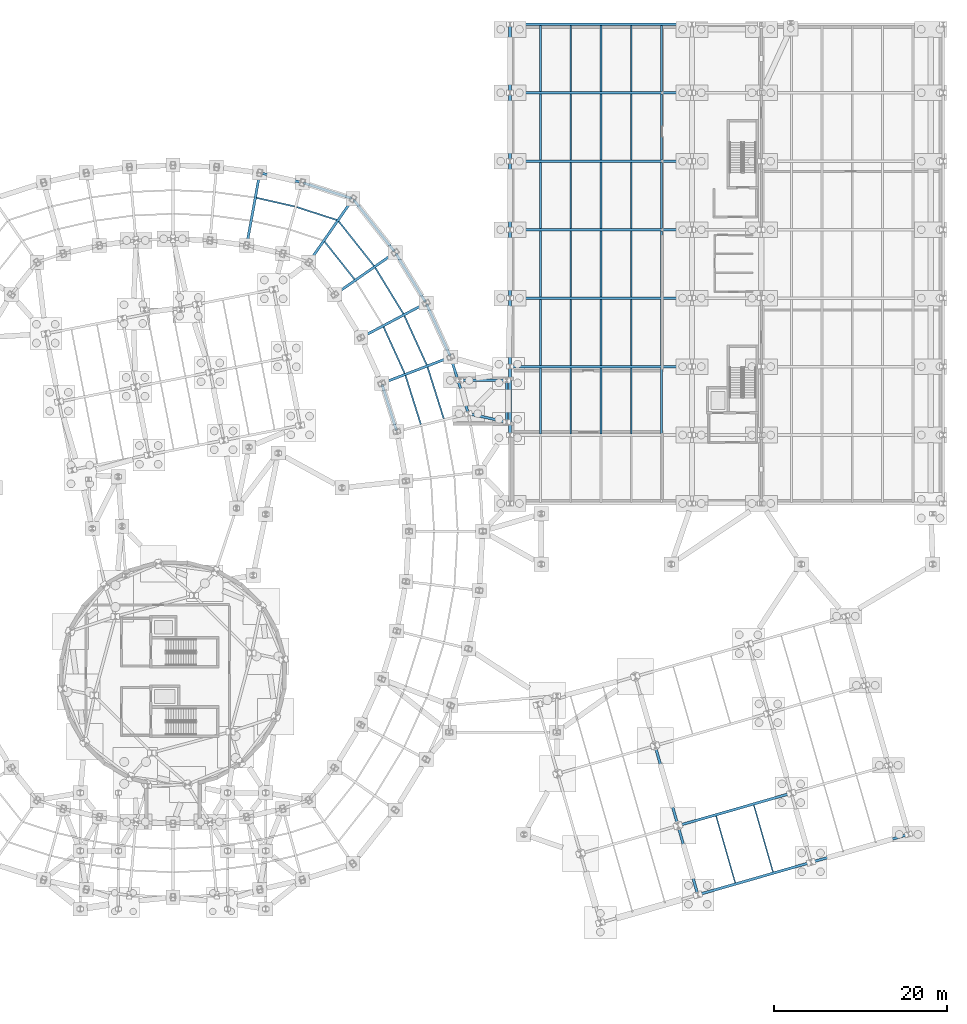
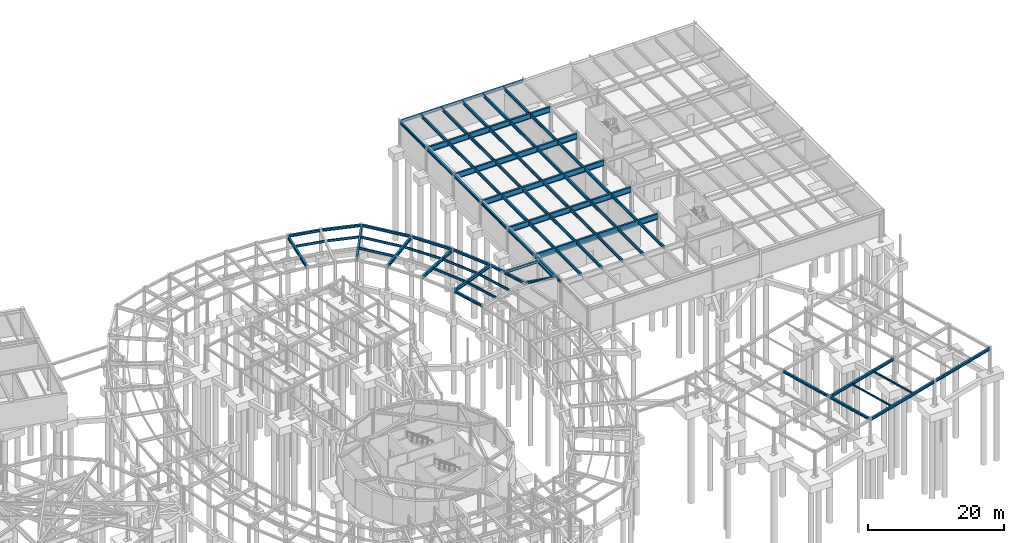
# One storey, part 35 of 50: 73 beams.
"""IFC4 building model written with IfcOpenShell, lengths in metres."""

from ifc_helpers import new_model, si_unit, direction, frame, origin, origin_2d, place, context, subcontext, project, spatial, i_section, extrude, material, material_profile, profile_set, type_object, element, save


model = new_model("IFC4")

# Units and contexts
model_context = context("Model", 3, precision=1e-05, world=origin(), true_north=direction((0.0, 1.0)))
body_context = subcontext(model_context, "Body", "Model", "MODEL_VIEW")
ifc_project = project(units=[si_unit("LENGTHUNIT", "METRE"), si_unit("AREAUNIT", "SQUARE_METRE"), si_unit("VOLUMEUNIT", "CUBIC_METRE"), si_unit("PLANEANGLEUNIT", "RADIAN"), si_unit("MASSUNIT", "GRAM", prefix="KILO")], contexts=[model_context])

# Site, building, storey
site_placement = place(None, origin())
site = spatial("IfcSite", under=ifc_project, at=site_placement, CompositionType="ELEMENT")
building_placement = place(site_placement, origin())
building = spatial("IfcBuilding", under=site, at=building_placement, Name="Varnklinge Art Gallery", CompositionType="ELEMENT")
storey_placement = place(building_placement, frame((0.0, 0.0, -4.800048828125)))
storey = spatial("IfcBuildingStorey", under=building, at=storey_placement, Name="B01", CompositionType="ELEMENT", Elevation=-4.800048828125)

# Beams
ifc_material_1 = material(Name="Steel S355", Category="steel")
ifc_material_profile_1 = material_profile(ifc_material_1, i_section(OverallWidth=0.300048828125, OverallDepth=1.0, WebThickness=0.01904296875, FlangeThickness=0.035888671875, FilletRadius=0.030029296875, at=origin_2d()), Name="HEB 1000")
ifc_profile_set_1 = profile_set([ifc_material_profile_1], Name="Steel S355")
beam_type_1 = type_object("IfcBeamType", Name="BM-01", PredefinedType="BEAM", material=ifc_profile_set_1)
for number, where, z_axis, x_axis, name in (
    (1, (114.5400390625, 74.0, 4.050048828125), (1.0, 0.0, 0.0), (0.0, 1.0, 0.0), "B01 BM-01 BM-V1-L00-X2-0"),
    (2, (114.5400390625, 81.89990234375, 4.050048828125), (1.0, 0.0, 0.0), (0.0, 1.0, 0.0), "B01 BM-01 BM-V1-L00-X3-0"),
    (3, (114.5400390625, 89.800048828125, 4.050048828125), (1.0, 0.0, 0.0), (0.0, 1.0, 0.0), "B01 BM-01 BM-V1-L00-X4-0"),
    (4, (114.5400390625, 97.699951171875, 4.050048828125), (1.0, 0.0, 0.0), (0.0, 1.0, 0.0), "B01 BM-01 BM-V1-L00-X5-0"),
    (5, (114.5400390625, 105.60009765625, 4.050048828125), (1.0, 0.0, 0.0), (0.0, 1.0, 0.0), "B01 BM-01 BM-V1-L00-X6-0"),
):
    element("IfcBeam", number, at=place(storey_placement, frame(where, z_axis=z_axis, x_axis=x_axis)), inside=storey, type_object=beam_type_1, Name=name, PredefinedType="BEAM", context=body_context, shape_type="SweptSolid", body=[
        extrude(i_section(OverallWidth=0.300048828125, OverallDepth=1.0, WebThickness=0.01904296875, FlangeThickness=0.035888671875, FilletRadius=0.030029296875, at=origin_2d()), origin(), (0.0, 0.0, 1.0), 20.719970703125),
    ])
ifc_material_2 = material(Name="Steel S355", Category="steel")
ifc_material_profile_2 = material_profile(ifc_material_2, i_section(OverallWidth=0.300048828125, OverallDepth=0.590087890625, WebThickness=0.012939453125, FlangeThickness=0.02490234375, FilletRadius=0.027099609375, at=origin_2d()), Name="HEA 600")
ifc_profile_set_2 = profile_set([ifc_material_profile_2], Name="Steel S355")
beam_type_2 = type_object("IfcBeamType", Name="BM-06", PredefinedType="BEAM", material=ifc_profile_set_2)
for number, where, z_axis, x_axis, name in (
    (6, (107.415771484375, 75.047119140625, 4.255126953125), (-0.934013153302, -0.357238616976, 0.0), (0.357238616976, -0.934013153302, 0.0), "B01 BM-06 BM-V2-L00-R10"),
    (7, (104.592529296875, 81.265380859375, 4.255126953125), (-0.883713647739, -0.468027978651, 0.0), (0.468027978651, -0.883713647739, 0.0), "B01 BM-06 BM-V2-L00-R11"),
):
    element("IfcBeam", number, at=place(storey_placement, frame(where, z_axis=z_axis, x_axis=x_axis)), inside=storey, type_object=beam_type_2, Name=name, PredefinedType="BEAM", context=body_context, shape_type="SweptSolid", body=[
        extrude(i_section(OverallWidth=0.300048828125, OverallDepth=0.590087890625, WebThickness=0.012939453125, FlangeThickness=0.02490234375, FilletRadius=0.027099609375, at=origin_2d()), origin(), (0.0, 0.0, 1.0), 8.237060546875),
    ])
beam_1_placement = place(storey_placement, frame((101.03515625, 87.0947265625, 4.255126953125), z_axis=(-0.820324852304, -0.571897837635, 0.0), x_axis=(0.571897837635, -0.820324852304, 0.0)))
element("IfcBeam", 8, at=beam_1_placement, inside=storey, type_object=beam_type_2, Name="B01 BM-06 BM-V2-L00-R12", PredefinedType="BEAM", context=body_context, shape_type="SweptSolid", body=[
    extrude(i_section(OverallWidth=0.300048828125, OverallDepth=0.590087890625, WebThickness=0.012939453125, FlangeThickness=0.02490234375, FilletRadius=0.027099609375, at=origin_2d()), origin(), (0.0, 0.0, 1.0), 8.2373046875),
])
beam_2_placement = place(storey_placement, frame((96.19091796875, 93.244873046875, 4.255126953125), z_axis=(-0.570588727281, -0.821235961402, 0.0), x_axis=(0.821235961402, -0.570588727281, 0.0)))
element("IfcBeam", 9, at=beam_2_placement, inside=storey, type_object=beam_type_2, Name="B01 BM-06 BM-V2-L00-R13", PredefinedType="BEAM", context=body_context, shape_type="SweptSolid", body=[
    extrude(i_section(OverallWidth=0.300048828125, OverallDepth=0.590087890625, WebThickness=0.012939453125, FlangeThickness=0.02490234375, FilletRadius=0.027099609375, at=origin_2d()), origin(), (0.0, 0.0, 1.0), 8.6318359375),
])
beam_3_placement = place(storey_placement, frame((85.495361328125, 96.21728515625, 4.255126953125), z_axis=(-0.178151776958, -0.984003020507, 0.0), x_axis=(0.984003020507, -0.178151776958, 0.0)))
element("IfcBeam", 10, at=beam_3_placement, inside=storey, type_object=beam_type_2, Name="B01 BM-06 BM-V2-L00-R15", PredefinedType="BEAM", context=body_context, shape_type="SweptSolid", body=[
    extrude(i_section(OverallWidth=0.300048828125, OverallDepth=0.590087890625, WebThickness=0.012939453125, FlangeThickness=0.02490234375, FilletRadius=0.027099609375, at=origin_2d()), origin(), (0.0, 0.0, 1.0), 8.229248046875),
])
ifc_material_3 = material(Name="Steel S355", Category="steel")
ifc_material_profile_3 = material_profile(ifc_material_3, i_section(OverallWidth=0.300048828125, OverallDepth=0.489990234375, WebThickness=0.011962890625, FlangeThickness=0.02294921875, FilletRadius=0.027099609375, at=origin_2d()), Name="HEA 500")
ifc_profile_set_3 = profile_set([ifc_material_profile_3], Name="Steel S355")
beam_type_3 = type_object("IfcBeamType", Name="BM-07", PredefinedType="BEAM", material=ifc_profile_set_3)
beam_4_placement = place(storey_placement, frame((136.208984375, 13.07177734375, 4.304931640625), z_axis=(0.961262060229, 0.275636085381, 0.0), x_axis=(-0.275636085381, 0.961262060229, 0.0)))
element("IfcBeam", 11, at=beam_4_placement, inside=storey, type_object=beam_type_3, Name="B01 BM-07 BM-V6-L00-U0-1", PredefinedType="BEAM", context=body_context, shape_type="SweptSolid", body=[
    extrude(i_section(OverallWidth=0.300048828125, OverallDepth=0.489990234375, WebThickness=0.011962890625, FlangeThickness=0.02294921875, FilletRadius=0.027099609375, at=origin_2d()), origin(), (0.0, 0.0, 1.0), 13.319580078125),
])
beam_5_placement = place(storey_placement, frame((149.281982421875, 16.8203125, 4.304931640625), z_axis=(0.961257274888, 0.275652773383, 0.0), x_axis=(-0.275652773383, 0.961257274888, 0.0)))
element("IfcBeam", 12, at=beam_5_placement, inside=storey, type_object=beam_type_3, Name="B01 BM-07 BM-V6-L00-U0-2", PredefinedType="BEAM", context=body_context, shape_type="SweptSolid", body=[
    extrude(i_section(OverallWidth=0.300048828125, OverallDepth=0.489990234375, WebThickness=0.011962890625, FlangeThickness=0.02294921875, FilletRadius=0.027099609375, at=origin_2d()), origin(), (0.0, 0.0, 1.0), 11.419921875),
])
beam_6_placement = place(storey_placement, frame((133.921142578125, 21.05029296875, 4.304931640625), z_axis=(0.961263452766, 0.275631228958, 0.0), x_axis=(-0.275631228958, 0.961263452766, 0.0)))
element("IfcBeam", 13, at=beam_6_placement, inside=storey, type_object=beam_type_3, Name="B01 BM-07 BM-V6-L00-U1-1", PredefinedType="BEAM", context=body_context, shape_type="SweptSolid", body=[
    extrude(i_section(OverallWidth=0.300048828125, OverallDepth=0.489990234375, WebThickness=0.011962890625, FlangeThickness=0.02294921875, FilletRadius=0.027099609375, at=origin_2d()), origin(), (0.0, 0.0, 1.0), 13.31982421875),
])
ifc_material_4 = material(Name="Steel S355", Category="steel")
ifc_material_profile_4 = material_profile(ifc_material_4, i_section(OverallWidth=0.300048828125, OverallDepth=0.43994140625, WebThickness=0.011474609375, FlangeThickness=0.02099609375, FilletRadius=0.027099609375, at=origin_2d()), Name="HEA 450")
ifc_profile_set_4 = profile_set([ifc_material_profile_4], Name="Steel S355")
beam_type_4 = type_object("IfcBeamType", Name="BM-08", PredefinedType="BEAM", material=ifc_profile_set_4)
beam_7_placement = place(storey_placement, frame((109.556396484375, 68.699462890625, 4.330078125), z_axis=(-0.299727009364, 0.95402501008, 0.0), x_axis=(-0.95402501008, -0.299727009364, 0.0)))
element("IfcBeam", 14, at=beam_7_placement, inside=storey, type_object=beam_type_4, Name="B01 BM-08 BM-V2-L00-O09", PredefinedType="BEAM", context=body_context, shape_type="SweptSolid", body=[
    extrude(i_section(OverallWidth=0.300048828125, OverallDepth=0.43994140625, WebThickness=0.011474609375, FlangeThickness=0.02099609375, FilletRadius=0.027099609375, at=origin_2d()), origin(), (0.0, 0.0, 1.0), 6.56591796875),
])
beam_8_placement = place(storey_placement, frame((101.290771484375, 66.6455078125, 4.330078125), z_axis=(-0.299742786947, 0.954020053077, 0.0), x_axis=(-0.954020053077, -0.299742786947, 0.0)))
element("IfcBeam", 15, at=beam_8_placement, inside=storey, type_object=beam_type_4, Name="B01 BM-08 BM-V2-L00-I09", PredefinedType="BEAM", context=body_context, shape_type="SweptSolid", body=[
    extrude(i_section(OverallWidth=0.300048828125, OverallDepth=0.43994140625, WebThickness=0.011474609375, FlangeThickness=0.02099609375, FilletRadius=0.027099609375, at=origin_2d()), origin(), (0.0, 0.0, 1.0), 5.529541015625),
])
beam_9_placement = place(storey_placement, frame((107.488525390625, 75.224609375, 4.330078125), z_axis=(-0.413377101484, 0.910559922229, 0.0), x_axis=(-0.910559922229, -0.413377101484, 0.0)))
element("IfcBeam", 16, at=beam_9_placement, inside=storey, type_object=beam_type_4, Name="B01 BM-08 BM-V2-L00-O10", PredefinedType="BEAM", context=body_context, shape_type="SweptSolid", body=[
    extrude(i_section(OverallWidth=0.300048828125, OverallDepth=0.43994140625, WebThickness=0.011474609375, FlangeThickness=0.02099609375, FilletRadius=0.027099609375, at=origin_2d()), origin(), (0.0, 0.0, 1.0), 6.56640625),
])
beam_10_placement = place(storey_placement, frame((104.643310546875, 81.450439453125, 4.330078125), z_axis=(-0.520911485476, 0.853610698327, 0.0), x_axis=(-0.853610698327, -0.520911485476, 0.0)))
element("IfcBeam", 17, at=beam_10_placement, inside=storey, type_object=beam_type_4, Name="B01 BM-08 BM-V2-L00-O11", PredefinedType="BEAM", context=body_context, shape_type="SweptSolid", body=[
    extrude(i_section(OverallWidth=0.300048828125, OverallDepth=0.43994140625, WebThickness=0.011474609375, FlangeThickness=0.02099609375, FilletRadius=0.027099609375, at=origin_2d()), origin(), (0.0, 0.0, 1.0), 6.566162109375),
])
beam_11_placement = place(storey_placement, frame((101.063232421875, 87.28466796875, 4.330078125), z_axis=(-0.619327516232, 0.785132745233, 0.0), x_axis=(-0.785132745233, -0.619327516232, 0.0)))
element("IfcBeam", 18, at=beam_11_placement, inside=storey, type_object=beam_type_4, Name="B01 BM-08 BM-V2-L00-O12", PredefinedType="BEAM", context=body_context, shape_type="SweptSolid", body=[
    extrude(i_section(OverallWidth=0.300048828125, OverallDepth=0.43994140625, WebThickness=0.011474609375, FlangeThickness=0.02099609375, FilletRadius=0.027099609375, at=origin_2d()), origin(), (0.0, 0.0, 1.0), 7.597900390625),
])
beam_12_placement = place(storey_placement, frame((96.1376953125, 93.402587890625, 4.330078125), z_axis=(-0.952022487869, 0.306028074843, 0.0), x_axis=(-0.306028074843, -0.952022487869, 0.0)))
element("IfcBeam", 19, at=beam_12_placement, inside=storey, type_object=beam_type_4, Name="B01 BM-08 BM-V2-L00-O13", PredefinedType="BEAM", context=body_context, shape_type="SweptSolid", body=[
    extrude(i_section(OverallWidth=0.300048828125, OverallDepth=0.43994140625, WebThickness=0.011474609375, FlangeThickness=0.02099609375, FilletRadius=0.027099609375, at=origin_2d()), origin(), (0.0, 0.0, 1.0), 5.855712890625),
])
beam_13_placement = place(storey_placement, frame((90.293212890625, 95.2685546875, 4.330078125), z_axis=(-0.975056640979, 0.221956182347, 0.0), x_axis=(-0.221956182347, -0.975056640979, 0.0)))
element("IfcBeam", 20, at=beam_13_placement, inside=storey, type_object=beam_type_4, Name="B01 BM-08 BM-V2-L00-O14", PredefinedType="BEAM", context=body_context, shape_type="SweptSolid", body=[
    extrude(i_section(OverallWidth=0.300048828125, OverallDepth=0.43994140625, WebThickness=0.011474609375, FlangeThickness=0.02099609375, FilletRadius=0.027099609375, at=origin_2d()), origin(), (0.0, 0.0, 1.0), 4.755126953125),
])
beam_14_placement = place(storey_placement, frame((136.03564453125, 13.167724609375, 4.330078125), z_axis=(-0.275621630307, 0.961266205016, 0.0), x_axis=(-0.961266205016, -0.275621630307, 0.0)))
element("IfcBeam", 21, at=beam_14_placement, inside=storey, type_object=beam_type_4, Name="B01 BM-08 BM-V6-L00-V1-0", PredefinedType="BEAM", context=body_context, shape_type="SweptSolid", body=[
    extrude(i_section(OverallWidth=0.300048828125, OverallDepth=0.43994140625, WebThickness=0.011474609375, FlangeThickness=0.02099609375, FilletRadius=0.027099609375, at=origin_2d()), origin(), (0.0, 0.0, 1.0), 8.019775390625),
])
beam_15_placement = place(storey_placement, frame((133.747802734375, 21.146240234375, 4.330078125), z_axis=(-0.275634404399, 0.961262542239, 0.0), x_axis=(-0.961262542239, -0.275634404399, 0.0)))
element("IfcBeam", 22, at=beam_15_placement, inside=storey, type_object=beam_type_4, Name="B01 BM-08 BM-V6-L00-V1-1", PredefinedType="BEAM", context=body_context, shape_type="SweptSolid", body=[
    extrude(i_section(OverallWidth=0.300048828125, OverallDepth=0.43994140625, WebThickness=0.011474609375, FlangeThickness=0.02099609375, FilletRadius=0.027099609375, at=origin_2d()), origin(), (0.0, 0.0, 1.0), 9.31982421875),
])
ifc_material_5 = material(Name="Steel S355", Category="steel")
ifc_material_profile_5 = material_profile(ifc_material_5, i_section(OverallWidth=0.300048828125, OverallDepth=0.389892578125, WebThickness=0.010986328125, FlangeThickness=0.01904296875, FilletRadius=0.027099609375, at=origin_2d()), Name="HEA 400")
ifc_profile_set_5 = profile_set([ifc_material_profile_5], Name="Steel S355")
beam_type_5 = type_object("IfcBeamType", Name="BM-09", PredefinedType="BEAM", material=ifc_profile_set_5)
beam_16_placement = place(storey_placement, frame((109.656982421875, 68.552978515625, 4.35498046875), z_axis=(0.976758555848, -0.214342537955, 0.0), x_axis=(0.214342537955, 0.976758555848, 0.0)))
element("IfcBeam", 23, at=beam_16_placement, inside=storey, type_object=beam_type_5, Name="B01 BM-09 BM-LNK-V1-L00-1", PredefinedType="BEAM", context=body_context, shape_type="SweptSolid", body=[
    extrude(i_section(OverallWidth=0.300048828125, OverallDepth=0.389892578125, WebThickness=0.010986328125, FlangeThickness=0.01904296875, FilletRadius=0.027099609375, at=origin_2d()), origin(), (0.0, 0.0, 1.0), 4.386474609375),
])
beam_17_placement = place(storey_placement, frame((114.0, 67.659912109375, 4.385009765625), z_axis=(0.0, 1.0, 0.0), x_axis=(-1.0, 0.0, 0.0)))
element("IfcBeam", 24, at=beam_17_placement, inside=storey, type_object=beam_type_5, Name="B01 BM-09 BM-LNK-V1-L00-2", PredefinedType="BEAM", context=body_context, shape_type="SweptSolid", body=[
    extrude(i_section(OverallWidth=0.300048828125, OverallDepth=0.389892578125, WebThickness=0.010986328125, FlangeThickness=0.01904296875, FilletRadius=0.027099609375, at=origin_2d()), origin(), (0.0, 0.0, 1.0), 4.68017578125),
])
beam_18_placement = place(storey_placement, frame((113.93994140625, 72.39990234375, 4.35498046875), z_axis=(-1.0, 0.0, 0.0), x_axis=(0.0, -1.0, 0.0)))
element("IfcBeam", 25, at=beam_18_placement, inside=storey, type_object=beam_type_5, Name="B01 BM-09 BM-LNK-V1-L00-3", PredefinedType="BEAM", context=body_context, shape_type="SweptSolid", body=[
    extrude(i_section(OverallWidth=0.300048828125, OverallDepth=0.389892578125, WebThickness=0.010986328125, FlangeThickness=0.01904296875, FilletRadius=0.027099609375, at=origin_2d()), origin(), (0.0, 0.0, 1.0), 5.280029296875),
])
ifc_material_6 = material(Name="Steel S355", Category="steel")
ifc_material_profile_6 = material_profile(ifc_material_6, i_section(OverallWidth=0.2099609375, OverallDepth=0.550048828125, WebThickness=0.010986328125, FlangeThickness=0.01708984375, FilletRadius=0.02392578125, at=origin_2d()), Name="IPE 550")
ifc_profile_set_6 = profile_set([ifc_material_profile_6], Name="Steel S355")
beam_type_6 = type_object("IfcBeamType", Name="JST-02", PredefinedType="JOIST", material=ifc_profile_set_6)
for number, where, z_axis, x_axis, name in (
    (26, (117.89990234375, 66.239990234375, 4.275146484375), (0.0, 1.0, 0.0), (-1.0, 0.0, 0.0), "B01 JST-02 JST-V1-L00-1-0-1"),
    (27, (121.39990234375, 66.239990234375, 4.275146484375), (0.0, 1.0, 0.0), (-1.0, 0.0, 0.0), "B01 JST-02 JST-V1-L00-1-0-2"),
    (28, (124.89990234375, 66.239990234375, 4.275146484375), (0.0, 1.0, 0.0), (-1.0, 0.0, 0.0), "B01 JST-02 JST-V1-L00-1-0-3"),
    (29, (128.39990234375, 66.239990234375, 4.275146484375), (0.0, 1.0, 0.0), (-1.0, 0.0, 0.0), "B01 JST-02 JST-V1-L00-1-0-4"),
    (30, (131.89990234375, 66.239990234375, 4.275146484375), (0.0, 1.0, 0.0), (-1.0, 0.0, 0.0), "B01 JST-02 JST-V1-L00-1-0-5"),
    (31, (117.89990234375, 74.139892578125, 4.275146484375), (0.0, 1.0, 0.0), (-1.0, 0.0, 0.0), "B01 JST-02 JST-V1-L00-2-0-1"),
    (32, (121.39990234375, 74.139892578125, 4.275146484375), (0.0, 1.0, 0.0), (-1.0, 0.0, 0.0), "B01 JST-02 JST-V1-L00-2-0-2"),
    (33, (124.89990234375, 74.139892578125, 4.275146484375), (0.0, 1.0, 0.0), (-1.0, 0.0, 0.0), "B01 JST-02 JST-V1-L00-2-0-3"),
    (34, (128.39990234375, 74.139892578125, 4.275146484375), (0.0, 1.0, 0.0), (-1.0, 0.0, 0.0), "B01 JST-02 JST-V1-L00-2-0-4"),
    (35, (131.89990234375, 74.139892578125, 4.275146484375), (0.0, 1.0, 0.0), (-1.0, 0.0, 0.0), "B01 JST-02 JST-V1-L00-2-0-5"),
):
    element("IfcBeam", number, at=place(storey_placement, frame(where, z_axis=z_axis, x_axis=x_axis)), inside=storey, type_object=beam_type_6, Name=name, PredefinedType="JOIST", context=body_context, shape_type="SweptSolid", body=[
        extrude(i_section(OverallWidth=0.2099609375, OverallDepth=0.550048828125, WebThickness=0.010986328125, FlangeThickness=0.01708984375, FilletRadius=0.02392578125, at=origin_2d()), origin(), (0.0, 0.0, 1.0), 7.6201171875),
    ])
for number, where, z_axis, x_axis, name in (
    (36, (117.89990234375, 82.0400390625, 4.275146484375), (0.0, 1.0, 0.0), (-1.0, 0.0, 0.0), "B01 JST-02 JST-V1-L00-3-0-1"),
    (37, (121.39990234375, 82.0400390625, 4.275146484375), (0.0, 1.0, 0.0), (-1.0, 0.0, 0.0), "B01 JST-02 JST-V1-L00-3-0-2"),
    (38, (124.89990234375, 82.0400390625, 4.275146484375), (0.0, 1.0, 0.0), (-1.0, 0.0, 0.0), "B01 JST-02 JST-V1-L00-3-0-3"),
    (39, (128.39990234375, 82.0400390625, 4.275146484375), (0.0, 1.0, 0.0), (-1.0, 0.0, 0.0), "B01 JST-02 JST-V1-L00-3-0-4"),
    (40, (131.89990234375, 82.0400390625, 4.275146484375), (0.0, 1.0, 0.0), (-1.0, 0.0, 0.0), "B01 JST-02 JST-V1-L00-3-0-5"),
):
    element("IfcBeam", number, at=place(storey_placement, frame(where, z_axis=z_axis, x_axis=x_axis)), inside=storey, type_object=beam_type_6, Name=name, PredefinedType="JOIST", context=body_context, shape_type="SweptSolid", body=[
        extrude(i_section(OverallWidth=0.2099609375, OverallDepth=0.550048828125, WebThickness=0.010986328125, FlangeThickness=0.01708984375, FilletRadius=0.02392578125, at=origin_2d()), origin(), (0.0, 0.0, 1.0), 7.619873046875),
    ])
for number, where, z_axis, x_axis, name in (
    (41, (117.89990234375, 89.93994140625, 4.275146484375), (0.0, 1.0, 0.0), (-1.0, 0.0, 0.0), "B01 JST-02 JST-V1-L00-4-0-1"),
    (42, (121.39990234375, 89.93994140625, 4.275146484375), (0.0, 1.0, 0.0), (-1.0, 0.0, 0.0), "B01 JST-02 JST-V1-L00-4-0-2"),
    (43, (124.89990234375, 89.93994140625, 4.275146484375), (0.0, 1.0, 0.0), (-1.0, 0.0, 0.0), "B01 JST-02 JST-V1-L00-4-0-3"),
    (44, (128.39990234375, 89.93994140625, 4.275146484375), (0.0, 1.0, 0.0), (-1.0, 0.0, 0.0), "B01 JST-02 JST-V1-L00-4-0-4"),
    (45, (131.89990234375, 89.93994140625, 4.275146484375), (0.0, 1.0, 0.0), (-1.0, 0.0, 0.0), "B01 JST-02 JST-V1-L00-4-0-5"),
):
    element("IfcBeam", number, at=place(storey_placement, frame(where, z_axis=z_axis, x_axis=x_axis)), inside=storey, type_object=beam_type_6, Name=name, PredefinedType="JOIST", context=body_context, shape_type="SweptSolid", body=[
        extrude(i_section(OverallWidth=0.2099609375, OverallDepth=0.550048828125, WebThickness=0.010986328125, FlangeThickness=0.01708984375, FilletRadius=0.02392578125, at=origin_2d()), origin(), (0.0, 0.0, 1.0), 7.6201171875),
    ])
for number, where, z_axis, x_axis, name in (
    (46, (117.89990234375, 97.840087890625, 4.275146484375), (0.0, 1.0, 0.0), (-1.0, 0.0, 0.0), "B01 JST-02 JST-V1-L00-5-0-1"),
    (47, (121.39990234375, 97.840087890625, 4.275146484375), (0.0, 1.0, 0.0), (-1.0, 0.0, 0.0), "B01 JST-02 JST-V1-L00-5-0-2"),
    (48, (124.89990234375, 97.840087890625, 4.275146484375), (0.0, 1.0, 0.0), (-1.0, 0.0, 0.0), "B01 JST-02 JST-V1-L00-5-0-3"),
    (49, (128.39990234375, 97.840087890625, 4.275146484375), (0.0, 1.0, 0.0), (-1.0, 0.0, 0.0), "B01 JST-02 JST-V1-L00-5-0-4"),
    (50, (131.89990234375, 97.840087890625, 4.275146484375), (0.0, 1.0, 0.0), (-1.0, 0.0, 0.0), "B01 JST-02 JST-V1-L00-5-0-5"),
):
    element("IfcBeam", number, at=place(storey_placement, frame(where, z_axis=z_axis, x_axis=x_axis)), inside=storey, type_object=beam_type_6, Name=name, PredefinedType="JOIST", context=body_context, shape_type="SweptSolid", body=[
        extrude(i_section(OverallWidth=0.2099609375, OverallDepth=0.550048828125, WebThickness=0.010986328125, FlangeThickness=0.01708984375, FilletRadius=0.02392578125, at=origin_2d()), origin(), (0.0, 0.0, 1.0), 7.619873046875),
    ])
for number, where, z_axis, x_axis, name in (
    (51, (117.89990234375, 105.739990234375, 4.275146484375), (0.0, 1.0, 0.0), (-1.0, 0.0, 0.0), "B01 JST-02 JST-V1-L00-6-0-1"),
    (52, (121.39990234375, 105.739990234375, 4.275146484375), (0.0, 1.0, 0.0), (-1.0, 0.0, 0.0), "B01 JST-02 JST-V1-L00-6-0-2"),
    (53, (124.89990234375, 105.739990234375, 4.275146484375), (0.0, 1.0, 0.0), (-1.0, 0.0, 0.0), "B01 JST-02 JST-V1-L00-6-0-3"),
    (54, (128.39990234375, 105.739990234375, 4.275146484375), (0.0, 1.0, 0.0), (-1.0, 0.0, 0.0), "B01 JST-02 JST-V1-L00-6-0-4"),
    (55, (131.89990234375, 105.739990234375, 4.275146484375), (0.0, 1.0, 0.0), (-1.0, 0.0, 0.0), "B01 JST-02 JST-V1-L00-6-0-5"),
):
    element("IfcBeam", number, at=place(storey_placement, frame(where, z_axis=z_axis, x_axis=x_axis)), inside=storey, type_object=beam_type_6, Name=name, PredefinedType="JOIST", context=body_context, shape_type="SweptSolid", body=[
        extrude(i_section(OverallWidth=0.2099609375, OverallDepth=0.550048828125, WebThickness=0.010986328125, FlangeThickness=0.01708984375, FilletRadius=0.02392578125, at=origin_2d()), origin(), (0.0, 0.0, 1.0), 7.6201171875),
    ])
ifc_material_7 = material(Name="Steel S355", Category="steel")
ifc_material_profile_7 = material_profile(ifc_material_7, i_section(OverallWidth=0.179931640625, OverallDepth=0.39990234375, WebThickness=0.008544921875, FlangeThickness=0.013427734375, FilletRadius=0.02099609375, at=origin_2d()), Name="IPE 400")
ifc_profile_set_7 = profile_set([ifc_material_profile_7], Name="Steel S355")
beam_type_7 = type_object("IfcBeamType", Name="JST-05", PredefinedType="JOIST", material=ifc_profile_set_7)
beam_19_placement = place(storey_placement, frame((106.74609375, 68.001220703125, 4.35009765625), z_axis=(-0.29971318729, 0.954029352465, 0.0), x_axis=(-0.954029352465, -0.29971318729, 0.0)))
element("IfcBeam", 56, at=beam_19_placement, inside=storey, type_object=beam_type_7, Name="B01 JST-05 JST-V2-L00-09-1", PredefinedType="JOIST", context=body_context, shape_type="SweptSolid", body=[
    extrude(i_section(OverallWidth=0.179931640625, OverallDepth=0.39990234375, WebThickness=0.008544921875, FlangeThickness=0.013427734375, FilletRadius=0.02099609375, at=origin_2d()), origin(), (0.0, 0.0, 1.0), 6.213623046875),
])
beam_20_placement = place(storey_placement, frame((104.10107421875, 67.343994140625, 4.35009765625), z_axis=(-0.299756442746, 0.954015762465, 0.0), x_axis=(-0.954015762465, -0.299756442746, 0.0)))
element("IfcBeam", 57, at=beam_20_placement, inside=storey, type_object=beam_type_7, Name="B01 JST-05 JST-V2-L00-09-2", PredefinedType="JOIST", context=body_context, shape_type="SweptSolid", body=[
    extrude(i_section(OverallWidth=0.179931640625, OverallDepth=0.39990234375, WebThickness=0.008544921875, FlangeThickness=0.013427734375, FilletRadius=0.02099609375, at=origin_2d()), origin(), (0.0, 0.0, 1.0), 5.882080078125),
])
beam_21_placement = place(storey_placement, frame((104.783935546875, 74.190185546875, 4.35009765625), z_axis=(-0.413409198448, 0.910545350127, 0.0), x_axis=(-0.910545350127, -0.413409198448, 0.0)))
element("IfcBeam", 58, at=beam_21_placement, inside=storey, type_object=beam_type_7, Name="B01 JST-05 JST-V2-L00-10-1", PredefinedType="JOIST", context=body_context, shape_type="SweptSolid", body=[
    extrude(i_section(OverallWidth=0.179931640625, OverallDepth=0.39990234375, WebThickness=0.008544921875, FlangeThickness=0.013427734375, FilletRadius=0.02099609375, at=origin_2d()), origin(), (0.0, 0.0, 1.0), 6.2138671875),
])
beam_22_placement = place(storey_placement, frame((102.23828125, 73.216552734375, 4.35009765625), z_axis=(-0.413430786601, 0.910535548285, 0.0), x_axis=(-0.910535548285, -0.413430786601, 0.0)))
element("IfcBeam", 59, at=beam_22_placement, inside=storey, type_object=beam_type_7, Name="B01 JST-05 JST-V2-L00-10-2", PredefinedType="JOIST", context=body_context, shape_type="SweptSolid", body=[
    extrude(i_section(OverallWidth=0.179931640625, OverallDepth=0.39990234375, WebThickness=0.008544921875, FlangeThickness=0.013427734375, FilletRadius=0.02099609375, at=origin_2d()), origin(), (0.0, 0.0, 1.0), 5.88232421875),
])
beam_23_placement = place(storey_placement, frame((102.084228515625, 80.09521484375, 4.35009765625), z_axis=(-0.520923848619, 0.853603153661, 0.0), x_axis=(-0.853603153661, -0.520923848619, 0.0)))
element("IfcBeam", 60, at=beam_23_placement, inside=storey, type_object=beam_type_7, Name="B01 JST-05 JST-V2-L00-11-1", PredefinedType="JOIST", context=body_context, shape_type="SweptSolid", body=[
    extrude(i_section(OverallWidth=0.179931640625, OverallDepth=0.39990234375, WebThickness=0.008544921875, FlangeThickness=0.013427734375, FilletRadius=0.02099609375, at=origin_2d()), origin(), (0.0, 0.0, 1.0), 6.213623046875),
])
beam_24_placement = place(storey_placement, frame((98.6875, 85.62841796875, 4.35009765625), z_axis=(-0.620207823033, 0.784437541331, 0.0), x_axis=(-0.784437541331, -0.620207823033, 0.0)))
element("IfcBeam", 61, at=beam_24_placement, inside=storey, type_object=beam_type_7, Name="B01 JST-05 JST-V2-L00-12-1", PredefinedType="JOIST", context=body_context, shape_type="SweptSolid", body=[
    extrude(i_section(OverallWidth=0.179931640625, OverallDepth=0.39990234375, WebThickness=0.008544921875, FlangeThickness=0.013427734375, FilletRadius=0.02099609375, at=origin_2d()), origin(), (0.0, 0.0, 1.0), 6.5439453125),
])
beam_25_placement = place(storey_placement, frame((96.45166015625, 84.069580078125, 4.35009765625), z_axis=(-0.621380748712, 0.783508752427, 0.0), x_axis=(-0.783508752427, -0.621380748712, 0.0)))
element("IfcBeam", 62, at=beam_25_placement, inside=storey, type_object=beam_type_7, Name="B01 JST-05 JST-V2-L00-12-2", PredefinedType="JOIST", context=body_context, shape_type="SweptSolid", body=[
    extrude(i_section(OverallWidth=0.179931640625, OverallDepth=0.39990234375, WebThickness=0.008544921875, FlangeThickness=0.013427734375, FilletRadius=0.02099609375, at=origin_2d()), origin(), (0.0, 0.0, 1.0), 5.552001953125),
])
beam_26_placement = place(storey_placement, frame((94.40869140625, 90.914306640625, 4.35009765625), z_axis=(-0.951573262441, 0.307422065259, 0.0), x_axis=(-0.307422065259, -0.951573262441, 0.0)))
element("IfcBeam", 63, at=beam_26_placement, inside=storey, type_object=beam_type_7, Name="B01 JST-05 JST-V2-L00-13-1", PredefinedType="JOIST", context=body_context, shape_type="SweptSolid", body=[
    extrude(i_section(OverallWidth=0.179931640625, OverallDepth=0.39990234375, WebThickness=0.008544921875, FlangeThickness=0.013427734375, FilletRadius=0.02099609375, at=origin_2d()), origin(), (0.0, 0.0, 1.0), 4.848388671875),
])
beam_27_placement = place(storey_placement, frame((89.525390625, 92.47900390625, 4.35009765625), z_axis=(-0.975052249235, 0.22197547446, 0.0), x_axis=(-0.22197547446, -0.975052249235, 0.0)))
element("IfcBeam", 64, at=beam_27_placement, inside=storey, type_object=beam_type_7, Name="B01 JST-05 JST-V2-L00-14-1", PredefinedType="JOIST", context=body_context, shape_type="SweptSolid", body=[
    extrude(i_section(OverallWidth=0.179931640625, OverallDepth=0.39990234375, WebThickness=0.008544921875, FlangeThickness=0.013427734375, FilletRadius=0.02099609375, at=origin_2d()), origin(), (0.0, 0.0, 1.0), 4.49609375),
])
ifc_material_8 = material(Name="Steel S355", Category="steel")
ifc_material_profile_8 = material_profile(ifc_material_8, i_section(OverallWidth=0.14990234375, OverallDepth=0.300048828125, WebThickness=0.007080078125, FlangeThickness=0.0107421875, FilletRadius=0.014892578125, at=origin_2d()), Name="IPE 300")
ifc_profile_set_8 = profile_set([ifc_material_profile_8], Name="Steel S355")
beam_type_8 = type_object("IfcBeamType", Name="JST-08", PredefinedType="JOIST", material=ifc_profile_set_8)
beam_28_placement = place(storey_placement, frame((140.393310546875, 14.417236328125, 4.400146484375), z_axis=(-0.275613565062, 0.961268517509, 0.0), x_axis=(-0.961268517509, -0.275613565062, 0.0)))
element("IfcBeam", 65, at=beam_28_placement, inside=storey, type_object=beam_type_8, Name="B01 JST-08 JST-V6-L00-1-0-1", PredefinedType="JOIST", context=body_context, shape_type="SweptSolid", body=[
    extrude(i_section(OverallWidth=0.14990234375, OverallDepth=0.300048828125, WebThickness=0.007080078125, FlangeThickness=0.0107421875, FilletRadius=0.014892578125, at=origin_2d()), origin(), (0.0, 0.0, 1.0), 8.02001953125),
])
beam_29_placement = place(storey_placement, frame((144.751220703125, 15.666748046875, 4.400146484375), z_axis=(-0.2756416934, 0.961260452146, 0.0), x_axis=(-0.961260452146, -0.2756416934, 0.0)))
element("IfcBeam", 66, at=beam_29_placement, inside=storey, type_object=beam_type_8, Name="B01 JST-08 JST-V6-L00-1-0-2", PredefinedType="JOIST", context=body_context, shape_type="SweptSolid", body=[
    extrude(i_section(OverallWidth=0.14990234375, OverallDepth=0.300048828125, WebThickness=0.007080078125, FlangeThickness=0.0107421875, FilletRadius=0.014892578125, at=origin_2d()), origin(), (0.0, 0.0, 1.0), 8.020263671875),
])
ifc_material_9 = material(Name="Steel S355", Category="steel")
ifc_material_profile_9 = material_profile(ifc_material_9, i_section(OverallWidth=0.300048828125, OverallDepth=0.489990234375, WebThickness=0.011962890625, FlangeThickness=0.02294921875, FilletRadius=0.027099609375, at=origin_2d()), Name="HEA 500")
ifc_profile_set_9 = profile_set([ifc_material_profile_9], Name="Steel S355")
beam_type_9 = type_object("IfcBeamType", Name="SPB-01", PredefinedType="SPANDREL", material=ifc_profile_set_9)
beam_30_placement = place(storey_placement, frame((114.5400390625, 113.5, 4.304931640625), z_axis=(1.0, 0.0, 0.0), x_axis=(0.0, 1.0, 0.0)))
element("IfcBeam", 67, at=beam_30_placement, inside=storey, type_object=beam_type_9, Name="B01 SPB-01 BM-V1-L00-X7-0", PredefinedType="SPANDREL", context=body_context, shape_type="SweptSolid", body=[
    extrude(i_section(OverallWidth=0.300048828125, OverallDepth=0.489990234375, WebThickness=0.011962890625, FlangeThickness=0.02294921875, FilletRadius=0.027099609375, at=origin_2d()), origin(), (0.0, 0.0, 1.0), 20.719970703125),
])
for number, where, z_axis, x_axis, name in (
    (68, (114.39990234375, 66.239990234375, 4.304931640625), (0.0, 1.0, 0.0), (-1.0, 0.0, 0.0), "B01 SPB-01 BM-V1-L00-Y0-1"),
    (69, (114.39990234375, 74.139892578125, 4.304931640625), (0.0, 1.0, 0.0), (-1.0, 0.0, 0.0), "B01 SPB-01 BM-V1-L00-Y0-2"),
):
    element("IfcBeam", number, at=place(storey_placement, frame(where, z_axis=z_axis, x_axis=x_axis)), inside=storey, type_object=beam_type_9, Name=name, PredefinedType="SPANDREL", context=body_context, shape_type="SweptSolid", body=[
        extrude(i_section(OverallWidth=0.300048828125, OverallDepth=0.489990234375, WebThickness=0.011962890625, FlangeThickness=0.02294921875, FilletRadius=0.027099609375, at=origin_2d()), origin(), (0.0, 0.0, 1.0), 7.6201171875),
    ])
beam_31_placement = place(storey_placement, frame((114.39990234375, 82.0400390625, 4.304931640625), z_axis=(0.0, 1.0, 0.0), x_axis=(-1.0, 0.0, 0.0)))
element("IfcBeam", 70, at=beam_31_placement, inside=storey, type_object=beam_type_9, Name="B01 SPB-01 BM-V1-L00-Y0-3", PredefinedType="SPANDREL", context=body_context, shape_type="SweptSolid", body=[
    extrude(i_section(OverallWidth=0.300048828125, OverallDepth=0.489990234375, WebThickness=0.011962890625, FlangeThickness=0.02294921875, FilletRadius=0.027099609375, at=origin_2d()), origin(), (0.0, 0.0, 1.0), 7.619873046875),
])
beam_32_placement = place(storey_placement, frame((114.39990234375, 89.93994140625, 4.304931640625), z_axis=(0.0, 1.0, 0.0), x_axis=(-1.0, 0.0, 0.0)))
element("IfcBeam", 71, at=beam_32_placement, inside=storey, type_object=beam_type_9, Name="B01 SPB-01 BM-V1-L00-Y0-4", PredefinedType="SPANDREL", context=body_context, shape_type="SweptSolid", body=[
    extrude(i_section(OverallWidth=0.300048828125, OverallDepth=0.489990234375, WebThickness=0.011962890625, FlangeThickness=0.02294921875, FilletRadius=0.027099609375, at=origin_2d()), origin(), (0.0, 0.0, 1.0), 7.6201171875),
])
beam_33_placement = place(storey_placement, frame((114.39990234375, 97.840087890625, 4.304931640625), z_axis=(0.0, 1.0, 0.0), x_axis=(-1.0, 0.0, 0.0)))
element("IfcBeam", 72, at=beam_33_placement, inside=storey, type_object=beam_type_9, Name="B01 SPB-01 BM-V1-L00-Y0-5", PredefinedType="SPANDREL", context=body_context, shape_type="SweptSolid", body=[
    extrude(i_section(OverallWidth=0.300048828125, OverallDepth=0.489990234375, WebThickness=0.011962890625, FlangeThickness=0.02294921875, FilletRadius=0.027099609375, at=origin_2d()), origin(), (0.0, 0.0, 1.0), 7.619873046875),
])
beam_34_placement = place(storey_placement, frame((114.39990234375, 105.739990234375, 4.304931640625), z_axis=(0.0, 1.0, 0.0), x_axis=(-1.0, 0.0, 0.0)))
element("IfcBeam", 73, at=beam_34_placement, inside=storey, type_object=beam_type_9, Name="B01 SPB-01 BM-V1-L00-Y0-6", PredefinedType="SPANDREL", context=body_context, shape_type="SweptSolid", body=[
    extrude(i_section(OverallWidth=0.300048828125, OverallDepth=0.489990234375, WebThickness=0.011962890625, FlangeThickness=0.02294921875, FilletRadius=0.027099609375, at=origin_2d()), origin(), (0.0, 0.0, 1.0), 7.6201171875),
])

save(model, "model.ifc")
